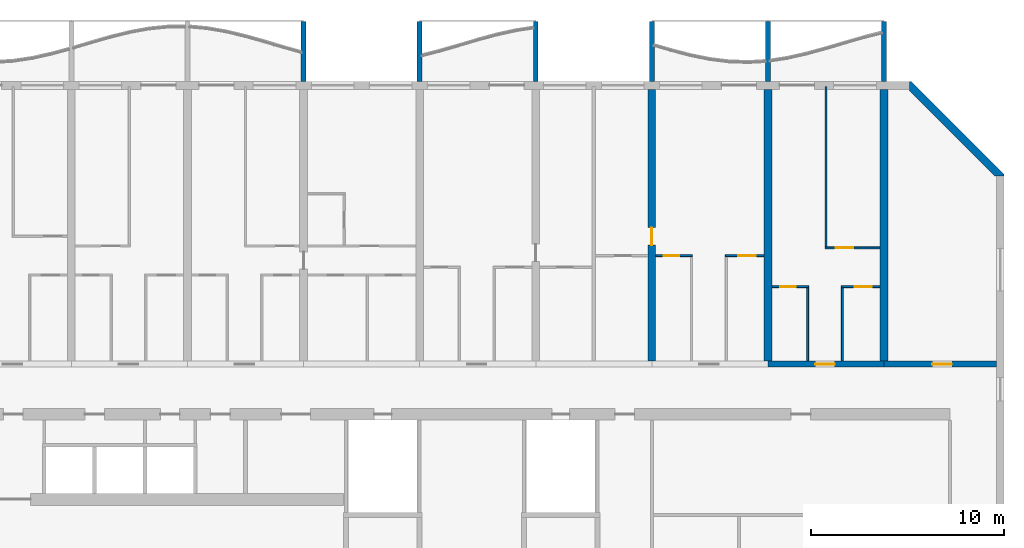
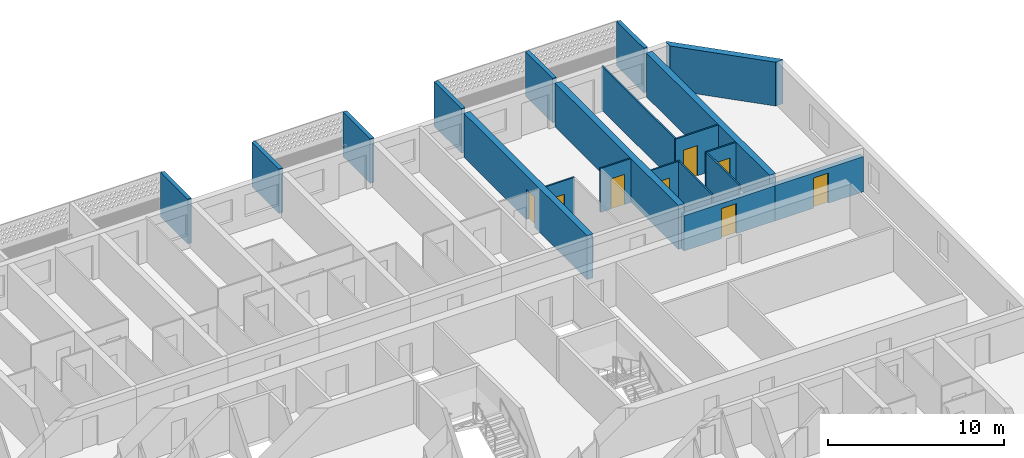
# One storey, part 19 of 44: 20 walls, 8 doors, 8 openings.
"""IFC4 building model written with IfcOpenShell, lengths in metres."""

from ifc_helpers import new_model, si_unit, direction, frame, frame_2d, origin, place, context, subcontext, project, spatial, polyline, rectangle, outline, extrude, source, transform, mapped, material, layer, layer_set, type_object, element, fill, save


model = new_model("IFC4")

# Units and contexts
model_context = context("Model", 3, precision=1e-05, world=origin(), true_north=direction((0.0, 1.0)))
body_context = subcontext(model_context, "Body", "Model", "MODEL_VIEW")
ifc_project = project(units=[si_unit("LENGTHUNIT", "METRE"), si_unit("AREAUNIT", "SQUARE_METRE"), si_unit("VOLUMEUNIT", "CUBIC_METRE"), si_unit("PLANEANGLEUNIT", "RADIAN"), si_unit("MASSUNIT", "GRAM", prefix="KILO")], contexts=[model_context])

# Site, building, storey
site_placement = place(None, origin())
site = spatial("IfcSite", under=ifc_project, at=site_placement, CompositionType="ELEMENT")
building_placement = place(site_placement, origin())
building = spatial("IfcBuilding", under=site, at=building_placement, Name="Poui Terraces", CompositionType="ELEMENT")
storey_placement = place(building_placement, frame((0.0, 0.0, 26.699951171875)))
storey = spatial("IfcBuildingStorey", under=building, at=storey_placement, Name="L06", CompositionType="ELEMENT", Elevation=26.699951171875)

# Wall, opening, door
ifc_material_1 = material(Name="Concrete 80 MPa", Category="concrete")
ifc_layer_1 = layer(ifc_material_1, 0.300048828125)
ifc_layer_set_1 = layer_set([ifc_layer_1], Name="Concrete 80 MPa")
wall_type_1 = type_object("IfcWallType", Name="CORRIDOR WALL 300 80MPa", PredefinedType="SHEAR", material=ifc_layer_set_1)
wall_1_placement = place(storey_placement, frame((90.0, 30.39990234375, 0.0), z_axis=(0.0, 0.0, 1.0), x_axis=(1.0, 0.0, 0.0)))
wall_1 = element("IfcWall", 1, at=wall_1_placement, inside=storey, type_object=wall_type_1, Name="CORRIDOR WALL LINE E BAY 16", PredefinedType="SHEAR", context=body_context, shape_type="SweptSolid", body=[
    extrude(rectangle(XDim=6.0, YDim=0.300048828125, at=frame_2d((3.0, 0.0))), origin(), (0.0, 0.0, 1.0), 2.449951171875),
])
opening_1_placement = place(wall_1_placement, frame((2.449951171875, 0.0, 0.0)))
opening_1 = element("IfcOpeningElement", 2, at=opening_1_placement, cuts=wall_1, Name="Opening FD30S", PredefinedType="OPENING", context=body_context, shape_type="SweptSolid", body=[
    extrude(rectangle(XDim=1.0, YDim=2.10009765625, at=frame_2d((0.5, 1.050048828125))), frame((0.0, 0.16015625, 0.0), z_axis=(0.0, -1.0, 0.0), x_axis=(1.0, 0.0, 0.0)), (0.0, 0.0, 1.0), 0.320068359375),
])
ifc_material_2 = material(Name="Steel fire door", Category="steel")
door_type_1 = type_object("IfcDoorType", Name="FLAT ENTRANCE DOOR 1000 X 2100", OperationType="NOTDEFINED", PredefinedType="DOOR", material=ifc_material_2)
door_1_placement = place(opening_1_placement, origin())
door_1 = element("IfcDoor", 3, at=door_1_placement, inside=storey, type_object=door_type_1, Name="FLAT ENTRANCE DOOR 087", OperationType="SINGLE_SWING_LEFT", OverallHeight=2.10009765625, OverallWidth=1.0, PredefinedType="DOOR", context=body_context, shape_type="SweptSolid", body=[
    extrude(rectangle(XDim=1.0, YDim=2.10009765625, at=frame_2d((0.5, 1.050048828125))), frame((0.0, 0.02490234375, 0.0), z_axis=(0.0, -1.0, 0.0), x_axis=(1.0, 0.0, 0.0)), (0.0, 0.0, 1.0), 0.050048828125),
])
fill(opening_1, door_1)

wall_2_placement = place(storey_placement, frame((96.0, 30.39990234375, 0.0), z_axis=(0.0, 0.0, 1.0), x_axis=(1.0, 0.0, 0.0)))
wall_2 = element("IfcWall", 4, at=wall_2_placement, inside=storey, type_object=wall_type_1, Name="CORRIDOR WALL LINE E BAY 17", PredefinedType="SHEAR", context=body_context, shape_type="SweptSolid", body=[
    extrude(rectangle(XDim=5.800048828125, YDim=0.300048828125, at=frame_2d((2.89990234375, 0.0))), origin(), (0.0, 0.0, 1.0), 2.449951171875),
])
opening_2_placement = place(wall_2_placement, frame((2.5, 0.0, 0.0)))
opening_2 = element("IfcOpeningElement", 5, at=opening_2_placement, cuts=wall_2, Name="Opening D100", PredefinedType="OPENING", context=body_context, shape_type="SweptSolid", body=[
    extrude(rectangle(XDim=1.0, YDim=2.10009765625, at=frame_2d((0.5, 1.050048828125))), frame((0.0, 0.16015625, 0.0), z_axis=(0.0, -1.0, 0.0), x_axis=(1.0, 0.0, 0.0)), (0.0, 0.0, 1.0), 0.320068359375),
])
ifc_material_3 = material(Name="Solid core timber door", Category="wood")
door_type_2 = type_object("IfcDoorType", Name="ACCESSIBLE INTERNAL DOOR 1000 X 2100", OperationType="NOTDEFINED", PredefinedType="DOOR", material=ifc_material_3)
door_2_placement = place(opening_2_placement, origin())
door_2 = element("IfcDoor", 6, at=door_2_placement, inside=storey, type_object=door_type_2, Name="ACCESSIBLE INTERNAL DOOR 090", OperationType="SINGLE_SWING_LEFT", OverallHeight=2.10009765625, OverallWidth=1.0, PredefinedType="DOOR", context=body_context, shape_type="SweptSolid", body=[
    extrude(rectangle(XDim=1.0, YDim=2.10009765625, at=frame_2d((0.5, 1.050048828125))), frame((0.0, 0.02490234375, 0.0), z_axis=(0.0, -1.0, 0.0), x_axis=(1.0, 0.0, 0.0)), (0.0, 0.0, 1.0), 0.050048828125),
])
fill(opening_2, door_2)

ifc_layer_2 = layer(ifc_material_1, 0.39990234375)
ifc_layer_set_2 = layer_set([ifc_layer_2], Name="Concrete 80 MPa")
wall_type_2 = type_object("IfcWallType", Name="CROSS WALL 400 80MPa", PredefinedType="SHEAR", material=ifc_layer_set_2)
wall_3_placement = place(storey_placement, frame((84.0, 30.550048828125, 0.0), z_axis=(0.0, 0.0, 1.0), x_axis=(0.0, 1.0, 0.0)))
wall_3 = element("IfcWall", 7, at=wall_3_placement, inside=storey, type_object=wall_type_2, Name="CROSS WALL LINE 15 NORTH", PredefinedType="SHEAR", context=body_context, shape_type="SweptSolid", body=[
    extrude(rectangle(XDim=14.050048828125, YDim=0.39990234375, at=frame_2d((7.02490234375, 0.0))), origin(), (0.0, 0.0, 1.0), 3.050048828125),
])
opening_3_placement = place(wall_3_placement, frame((6.0, 0.0, 0.0)))
opening_3 = element("IfcOpeningElement", 8, at=opening_3_placement, cuts=wall_3, Name="Opening D90", PredefinedType="OPENING", context=body_context, shape_type="SweptSolid", body=[
    extrude(rectangle(XDim=0.89990234375, YDim=2.10009765625, at=frame_2d((0.449951171875, 1.050048828125))), frame((0.0, 0.2099609375, 0.0), z_axis=(0.0, -1.0, 0.0), x_axis=(1.0, 0.0, 0.0)), (0.0, 0.0, 1.0), 0.419921875),
])
door_type_3 = type_object("IfcDoorType", Name="INTERNAL DOOR 900 X 2100", OperationType="NOTDEFINED", PredefinedType="DOOR", material=ifc_material_3)
door_3_placement = place(opening_3_placement, origin())
door_3 = element("IfcDoor", 9, at=door_3_placement, inside=storey, type_object=door_type_3, Name="INTERNAL DOOR 082", OperationType="SINGLE_SWING_LEFT", OverallHeight=2.10009765625, OverallWidth=0.89990234375, PredefinedType="DOOR", context=body_context, shape_type="SweptSolid", body=[
    extrude(rectangle(XDim=0.89990234375, YDim=2.10009765625, at=frame_2d((0.449951171875, 1.050048828125))), frame((0.0, 0.02490234375, 0.0), z_axis=(0.0, -1.0, 0.0), x_axis=(1.0, 0.0, 0.0)), (0.0, 0.0, 1.0), 0.050048828125),
])
fill(opening_3, door_3)

# Walls
for number, where, z_axis, x_axis, name in (
    (10, (90.0, 30.550048828125, 0.0), (0.0, 0.0, 1.0), (0.0, 1.0, 0.0), "CROSS WALL LINE 16 NORTH"),
    (11, (96.0, 30.550048828125, 0.0), (0.0, 0.0, 1.0), (0.0, 1.0, 0.0), "CROSS WALL LINE 17 NORTH"),
):
    element("IfcWall", number, at=place(storey_placement, frame(where, z_axis=z_axis, x_axis=x_axis)), inside=storey, type_object=wall_type_2, Name=name, PredefinedType="SHEAR", context=body_context, shape_type="SweptSolid", body=[
        extrude(rectangle(XDim=14.050048828125, YDim=0.39990234375, at=frame_2d((7.02490234375, 0.0))), origin(), (0.0, 0.0, 1.0), 3.050048828125),
    ])

# Wall, opening, door
ifc_material_4 = material(Name="Plasterboard partition")
ifc_layer_3 = layer(ifc_material_4, 0.10009765625)
ifc_layer_set_3 = layer_set([ifc_layer_3], Name="Plasterboard partition")
wall_type_3 = type_object("IfcWallType", Name="FLAT PARTITION 100", PredefinedType="PARTITIONING", material=ifc_layer_set_3)
wall_4_placement = place(storey_placement, frame((90.2099609375, 34.39990234375, 0.0), z_axis=(0.0, 0.0, 1.0), x_axis=(1.0, 0.0, 0.0)))
wall_4 = element("IfcWall", 12, at=wall_4_placement, inside=storey, type_object=wall_type_3, Name="FLAT PARTITION 100", PredefinedType="PARTITIONING", context=body_context, shape_type="SweptSolid", body=[
    extrude(rectangle(XDim=1.89013671875, YDim=0.10009765625, at=frame_2d((0.945068359375, 0.0))), origin(), (0.0, 0.0, 1.0), 3.050048828125),
])
opening_4_placement = place(wall_4_placement, frame((0.4150390625, 0.0, 0.0)))
opening_4 = element("IfcOpeningElement", 13, at=opening_4_placement, cuts=wall_4, Name="Opening D80", PredefinedType="OPENING", context=body_context, shape_type="SweptSolid", body=[
    extrude(rectangle(XDim=0.800048828125, YDim=2.10009765625, at=frame_2d((0.39990234375, 1.050048828125))), frame((0.0, 0.06005859375, 0.0), z_axis=(0.0, -1.0, 0.0), x_axis=(1.0, 0.0, 0.0)), (0.0, 0.0, 1.0), 0.1201171875),
])
door_type_4 = type_object("IfcDoorType", Name="BATHROOM, LAUNDRY AND STORE DOOR 800 X 2100", OperationType="NOTDEFINED", PredefinedType="DOOR", material=ifc_material_3)
door_4_placement = place(opening_4_placement, frame((0.800048828125, 0.0, 0.0), z_axis=(0.0, 0.0, 1.0), x_axis=(-1.0, 0.0, 0.0)))
door_4 = element("IfcDoor", 14, at=door_4_placement, inside=storey, type_object=door_type_4, Name="BATHROOM, LAUNDRY AND STORE DOOR 086", OperationType="SINGLE_SWING_LEFT", OverallHeight=2.10009765625, OverallWidth=0.800048828125, PredefinedType="DOOR", context=body_context, shape_type="SweptSolid", body=[
    extrude(rectangle(XDim=0.800048828125, YDim=2.10009765625, at=frame_2d((0.39990234375, 1.050048828125))), frame((0.0, 0.02490234375, 0.0), z_axis=(0.0, -1.0, 0.0), x_axis=(1.0, 0.0, 0.0)), (0.0, 0.0, 1.0), 0.050048828125),
])
fill(opening_4, door_4)

wall_5_placement = place(storey_placement, frame((93.800048828125, 34.39990234375, 0.0), z_axis=(0.0, 0.0, 1.0), x_axis=(1.0, 0.0, 0.0)))
wall_5 = element("IfcWall", 15, at=wall_5_placement, inside=storey, type_object=wall_type_3, Name="FLAT PARTITION 100", PredefinedType="PARTITIONING", context=body_context, shape_type="SweptSolid", body=[
    extrude(rectangle(XDim=1.989990234375, YDim=0.10009765625, at=frame_2d((0.9951171875, 0.0))), origin(), (0.0, 0.0, 1.0), 3.050048828125),
])
opening_5_placement = place(wall_5_placement, frame((0.675048828125, 0.0, 0.0)))
opening_5 = element("IfcOpeningElement", 16, at=opening_5_placement, cuts=wall_5, Name="Opening D90", PredefinedType="OPENING", context=body_context, shape_type="SweptSolid", body=[
    extrude(rectangle(XDim=0.89990234375, YDim=2.10009765625, at=frame_2d((0.449951171875, 1.050048828125))), frame((0.0, 0.06005859375, 0.0), z_axis=(0.0, -1.0, 0.0), x_axis=(1.0, 0.0, 0.0)), (0.0, 0.0, 1.0), 0.1201171875),
])
door_5_placement = place(opening_5_placement, frame((0.89990234375, 0.0, 0.0), z_axis=(0.0, 0.0, 1.0), x_axis=(-1.0, 0.0, 0.0)))
door_5 = element("IfcDoor", 17, at=door_5_placement, inside=storey, type_object=door_type_3, Name="INTERNAL DOOR 089", OperationType="SINGLE_SWING_RIGHT", OverallHeight=2.10009765625, OverallWidth=0.89990234375, PredefinedType="DOOR", context=body_context, shape_type="SweptSolid", body=[
    extrude(rectangle(XDim=0.89990234375, YDim=2.10009765625, at=frame_2d((0.449951171875, 1.050048828125))), frame((0.0, 0.02490234375, 0.0), z_axis=(0.0, -1.0, 0.0), x_axis=(1.0, 0.0, 0.0)), (0.0, 0.0, 1.0), 0.050048828125),
])
fill(opening_5, door_5)

wall_6_placement = place(storey_placement, frame((84.2099609375, 36.0, 0.0), z_axis=(0.0, 0.0, 1.0), x_axis=(1.0, 0.0, 0.0)))
wall_6 = element("IfcWall", 18, at=wall_6_placement, inside=storey, type_object=wall_type_3, Name="FLAT PARTITION 100", PredefinedType="PARTITIONING", context=body_context, shape_type="SweptSolid", body=[
    extrude(rectangle(XDim=1.89013671875, YDim=0.10009765625, at=frame_2d((0.945068359375, 0.0))), origin(), (0.0, 0.0, 1.0), 3.050048828125),
])
opening_6_placement = place(wall_6_placement, frame((0.4150390625, 0.0, 0.0)))
opening_6 = element("IfcOpeningElement", 19, at=opening_6_placement, cuts=wall_6, Name="Opening D80", PredefinedType="OPENING", context=body_context, shape_type="SweptSolid", body=[
    extrude(rectangle(XDim=0.800048828125, YDim=2.10009765625, at=frame_2d((0.39990234375, 1.050048828125))), frame((0.0, 0.06005859375, 0.0), z_axis=(0.0, -1.0, 0.0), x_axis=(1.0, 0.0, 0.0)), (0.0, 0.0, 1.0), 0.1201171875),
])
door_6_placement = place(opening_6_placement, frame((0.800048828125, 0.0, 0.0), z_axis=(0.0, 0.0, 1.0), x_axis=(-1.0, 0.0, 0.0)))
door_6 = element("IfcDoor", 20, at=door_6_placement, inside=storey, type_object=door_type_4, Name="BATHROOM, LAUNDRY AND STORE DOOR 083", OperationType="SINGLE_SWING_LEFT", OverallHeight=2.10009765625, OverallWidth=0.800048828125, PredefinedType="DOOR", context=body_context, shape_type="SweptSolid", body=[
    extrude(rectangle(XDim=0.800048828125, YDim=2.10009765625, at=frame_2d((0.39990234375, 1.050048828125))), frame((0.0, 0.02490234375, 0.0), z_axis=(0.0, -1.0, 0.0), x_axis=(1.0, 0.0, 0.0)), (0.0, 0.0, 1.0), 0.050048828125),
])
fill(opening_6, door_6)

wall_7_placement = place(storey_placement, frame((87.800048828125, 36.0, 0.0), z_axis=(0.0, 0.0, 1.0), x_axis=(1.0, 0.0, 0.0)))
wall_7 = element("IfcWall", 21, at=wall_7_placement, inside=storey, type_object=wall_type_3, Name="FLAT PARTITION 100", PredefinedType="PARTITIONING", context=body_context, shape_type="SweptSolid", body=[
    extrude(rectangle(XDim=1.989990234375, YDim=0.10009765625, at=frame_2d((0.9951171875, 0.0))), origin(), (0.0, 0.0, 1.0), 3.050048828125),
])
opening_7_placement = place(wall_7_placement, frame((0.675048828125, 0.0, 0.0)))
opening_7 = element("IfcOpeningElement", 22, at=opening_7_placement, cuts=wall_7, Name="Opening D90", PredefinedType="OPENING", context=body_context, shape_type="SweptSolid", body=[
    extrude(rectangle(XDim=0.89990234375, YDim=2.10009765625, at=frame_2d((0.449951171875, 1.050048828125))), frame((0.0, 0.06005859375, 0.0), z_axis=(0.0, -1.0, 0.0), x_axis=(1.0, 0.0, 0.0)), (0.0, 0.0, 1.0), 0.1201171875),
])
door_7_placement = place(opening_7_placement, frame((0.89990234375, 0.0, 0.0), z_axis=(0.0, 0.0, 1.0), x_axis=(-1.0, 0.0, 0.0)))
door_7 = element("IfcDoor", 23, at=door_7_placement, inside=storey, type_object=door_type_3, Name="INTERNAL DOOR 085", OperationType="SINGLE_SWING_RIGHT", OverallHeight=2.10009765625, OverallWidth=0.89990234375, PredefinedType="DOOR", context=body_context, shape_type="SweptSolid", body=[
    extrude(rectangle(XDim=0.89990234375, YDim=2.10009765625, at=frame_2d((0.449951171875, 1.050048828125))), frame((0.0, 0.02490234375, 0.0), z_axis=(0.0, -1.0, 0.0), x_axis=(1.0, 0.0, 0.0)), (0.0, 0.0, 1.0), 0.050048828125),
])
fill(opening_7, door_7)

wall_8_placement = place(storey_placement, frame((92.949951171875, 36.39990234375, 0.0), z_axis=(0.0, 0.0, 1.0), x_axis=(1.0, 0.0, 0.0)))
wall_8 = element("IfcWall", 24, at=wall_8_placement, inside=storey, type_object=wall_type_3, Name="FLAT PARTITION 100", PredefinedType="PARTITIONING", context=body_context, shape_type="SweptSolid", body=[
    extrude(rectangle(XDim=2.840087890625, YDim=0.10009765625, at=frame_2d((1.419921875, 0.0))), origin(), (0.0, 0.0, 1.0), 3.050048828125),
])
opening_8_placement = place(wall_8_placement, frame((0.550048828125, 0.0, 0.0)))
opening_8 = element("IfcOpeningElement", 25, at=opening_8_placement, cuts=wall_8, Name="Opening D90", PredefinedType="OPENING", context=body_context, shape_type="SweptSolid", body=[
    extrude(rectangle(XDim=0.89990234375, YDim=2.10009765625, at=frame_2d((0.449951171875, 1.050048828125))), frame((0.0, 0.06005859375, 0.0), z_axis=(0.0, -1.0, 0.0), x_axis=(1.0, 0.0, 0.0)), (0.0, 0.0, 1.0), 0.1201171875),
])
door_8_placement = place(opening_8_placement, frame((0.89990234375, 0.0, 0.0), z_axis=(0.0, 0.0, 1.0), x_axis=(-1.0, 0.0, 0.0)))
door_8 = element("IfcDoor", 26, at=door_8_placement, inside=storey, type_object=door_type_3, Name="INTERNAL DOOR 088", OperationType="SINGLE_SWING_LEFT", OverallHeight=2.10009765625, OverallWidth=0.89990234375, PredefinedType="DOOR", context=body_context, shape_type="SweptSolid", body=[
    extrude(rectangle(XDim=0.89990234375, YDim=2.10009765625, at=frame_2d((0.449951171875, 1.050048828125))), frame((0.0, 0.02490234375, 0.0), z_axis=(0.0, -1.0, 0.0), x_axis=(1.0, 0.0, 0.0)), (0.0, 0.0, 1.0), 0.050048828125),
])
fill(opening_8, door_8)

# Walls
wall_9_placement = place(storey_placement, frame((92.050048828125, 30.56005859375, 0.0), z_axis=(0.0, 0.0, 1.0), x_axis=(0.0, 1.0, 0.0)))
element("IfcWall", 27, at=wall_9_placement, inside=storey, type_object=wall_type_3, Name="FLAT PARTITION 100", PredefinedType="PARTITIONING", context=body_context, shape_type="SweptSolid", body=[
    extrude(rectangle(XDim=3.7900390625, YDim=0.10009765625, at=frame_2d((1.89501953125, 0.0))), origin(), (0.0, 0.0, 1.0), 3.050048828125),
])
wall_10_placement = place(storey_placement, frame((93.0, 36.449951171875, 0.0), z_axis=(0.0, 0.0, 1.0), x_axis=(0.0, 1.0, 0.0)))
element("IfcWall", 28, at=wall_10_placement, inside=storey, type_object=wall_type_3, Name="FLAT PARTITION 100", PredefinedType="PARTITIONING", context=body_context, shape_type="SweptSolid", body=[
    extrude(rectangle(XDim=8.2900390625, YDim=0.10009765625, at=frame_2d((4.14501953125, 0.0))), origin(), (0.0, 0.0, 1.0), 3.050048828125),
])
wall_11_placement = place(storey_placement, frame((93.85009765625, 30.56005859375, 0.0), z_axis=(0.0, 0.0, 1.0), x_axis=(0.0, 1.0, 0.0)))
element("IfcWall", 29, at=wall_11_placement, inside=storey, type_object=wall_type_3, Name="FLAT PARTITION 100", PredefinedType="PARTITIONING", context=body_context, shape_type="SweptSolid", body=[
    extrude(rectangle(XDim=3.7900390625, YDim=0.10009765625, at=frame_2d((1.89501953125, 0.0))), origin(), (0.0, 0.0, 1.0), 3.050048828125),
])
ifc_material_5 = material(Name="Precast concrete 40 MPa", Category="concrete")
ifc_layer_4 = layer(ifc_material_5, 0.39990234375)
ifc_layer_set_4 = layer_set([ifc_layer_4], Name="Precast concrete 40 MPa")
wall_type_4 = type_object("IfcWallType", Name="TERRACOTTA CLAD CHAMFER WALL 400", PredefinedType="STANDARD", material=ifc_layer_set_4)
wall_12_placement = place(storey_placement, origin())
element("IfcWall", 30, at=wall_12_placement, inside=storey, type_object=wall_type_4, Name="CHAMFER WALL CH03", PredefinedType="STANDARD", context=body_context, shape_type="SweptSolid", body=[
    extrude(outline(polyline([(102.199951171875, 40.1171875), (102.199951171875, 40.199951171875), (97.39990234375, 45.0), (97.317138671875, 45.0), (97.317138671875, 44.51708984375), (101.71728515625, 40.1171875), (102.199951171875, 40.1171875)])), origin(), (0.0, 0.0, 1.0), 3.050048828125),
])
ifc_layer_5 = layer(ifc_material_5, 0.25)
ifc_layer_set_5 = layer_set([ifc_layer_5], Name="Precast concrete 40 MPa")
wall_type_5 = type_object("IfcWallType", Name="BALCONY FIN 250", PredefinedType="STANDARD", material=ifc_layer_set_5)
shared_shape = source(origin(), body_context, "Body", "SweptSolid", [
    extrude(outline(polyline([(0.0, 0.0), (0.25, 0.0), (0.25, 3.10009765625), (0.0, 3.10009765625), (0.0, 0.0)])), origin(), (0.0, 0.0, 1.0), 3.10009765625),
])
for number, where, name in (
    (31, (65.875, 45.0, 0.0), "BALCONY FIN"),
    (32, (71.875, 45.0, 0.0), "BALCONY FIN"),
    (33, (77.875, 45.0, 0.0), "BALCONY FIN"),
    (34, (83.875, 45.0, 0.0), "BALCONY FIN"),
    (35, (89.875, 45.0, 0.0), "BALCONY FIN"),
    (36, (95.875, 45.0, 0.0), "BALCONY FIN"),
):
    element("IfcWall", number, at=place(storey_placement, frame(where)), inside=storey, type_object=wall_type_5, Name=name, PredefinedType="STANDARD", context=body_context, shape_type="MappedRepresentation", body=[
        mapped(shared_shape, transform((0.0, 0.0, 0.0))),
    ])

save(model, "model.ifc")
